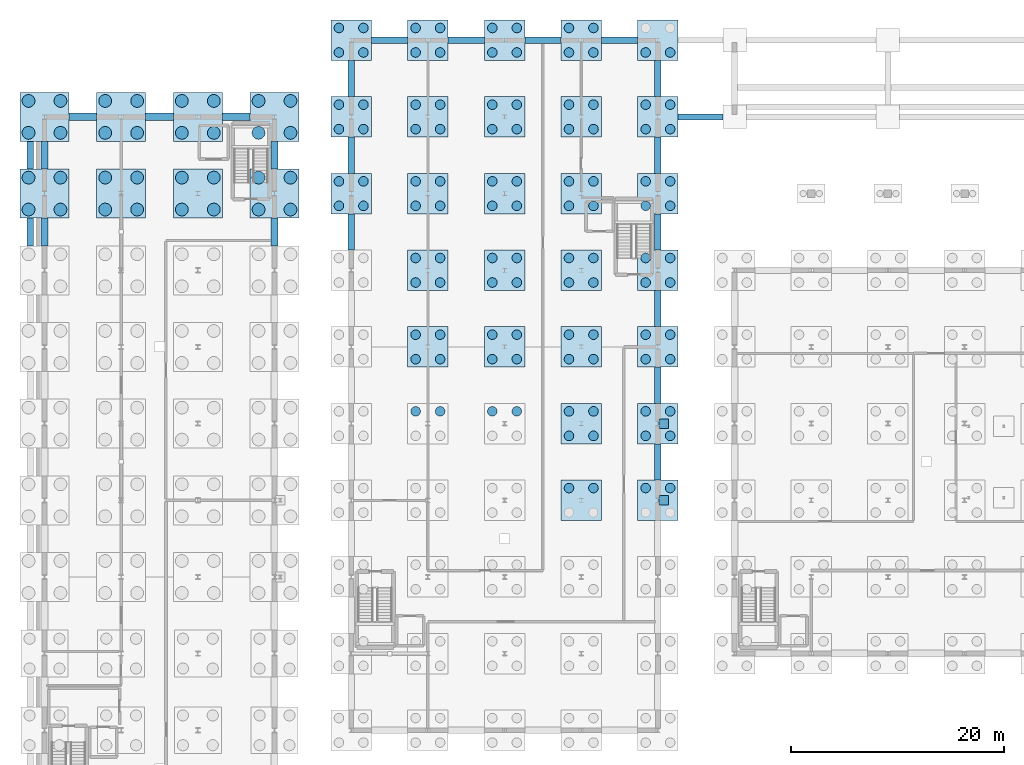
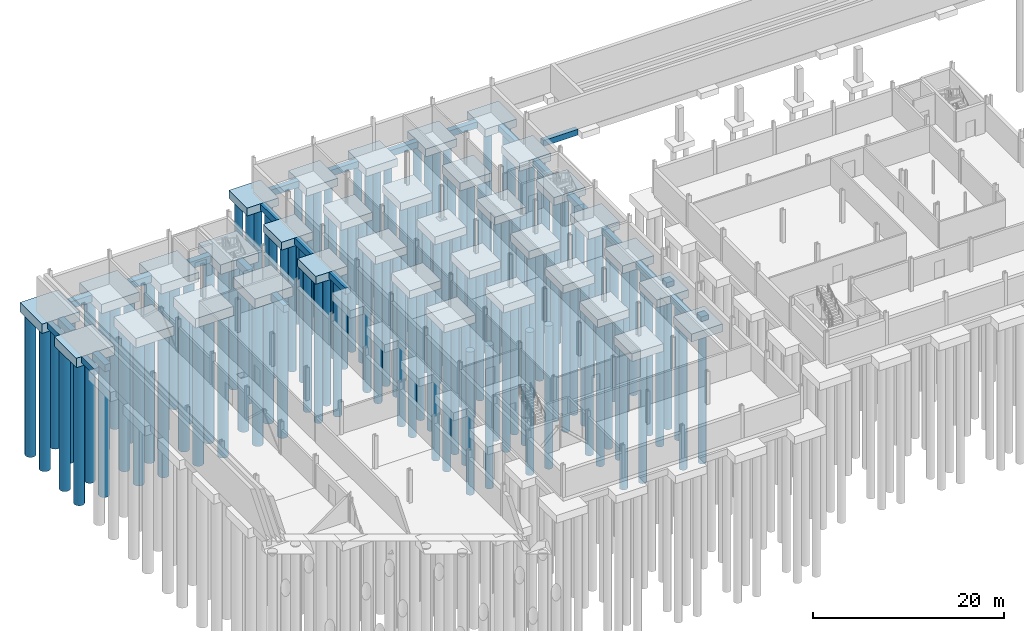
# One storey, part 4 of 50: 138 piles, 60 footings.
"""IFC4 building model written with IfcOpenShell, lengths in metres."""

from ifc_helpers import new_model, si_unit, direction, frame, origin, origin_2d, place, context, subcontext, project, spatial, rectangle, circle, extrude, material, layer, layer_set, material_profile, profile_set, type_object, element, save


model = new_model("IFC4")

# Units and contexts
model_context = context("Model", 3, precision=1e-05, world=origin(), true_north=direction((0.0, 1.0)))
body_context = subcontext(model_context, "Body", "Model", "MODEL_VIEW")
ifc_project = project(units=[si_unit("LENGTHUNIT", "METRE"), si_unit("AREAUNIT", "SQUARE_METRE"), si_unit("VOLUMEUNIT", "CUBIC_METRE"), si_unit("PLANEANGLEUNIT", "RADIAN"), si_unit("MASSUNIT", "GRAM", prefix="KILO")], contexts=[model_context])

# Site, building, storey
site_placement = place(None, origin())
site = spatial("IfcSite", under=ifc_project, at=site_placement, CompositionType="ELEMENT")
building_placement = place(site_placement, origin())
building = spatial("IfcBuilding", under=site, at=building_placement, Name="Narikvali Park Central Library", CompositionType="ELEMENT")
storey_placement = place(building_placement, frame((0.0, 0.0, -4.199951171875)))
storey = spatial("IfcBuildingStorey", under=building, at=storey_placement, Name="B1", CompositionType="ELEMENT", Elevation=-4.199951171875)

# Piles
ifc_material = material(Name="Concrete C35/45", Category="concrete")
ifc_material_profile_1 = material_profile(ifc_material, circle(Radius=0.60009765625, at=origin_2d()), Name="PILE D1200")
ifc_profile_set_1 = profile_set([ifc_material_profile_1], Name="Concrete C35/45")
pile_type_1 = type_object("IfcPileType", Name="Bored Pile D1200", PredefinedType="BORED", material=ifc_profile_set_1)
for number, where, z_axis, x_axis, name in (
    (1, (-1.5, 99.300048828125, -1.699951171875), (0.0, 0.0, -1.0), (1.0, 0.0, 0.0), "Bored Pile (-1.50,99.30)"),
    (2, (1.5, 99.300048828125, -1.699951171875), (0.0, 0.0, -1.0), (1.0, 0.0, 0.0), "Bored Pile (1.50,99.30)"),
    (3, (-1.5, 102.300048828125, -1.699951171875), (0.0, 0.0, -1.0), (1.0, 0.0, 0.0), "Bored Pile (-1.50,102.30)"),
    (4, (1.5, 102.300048828125, -1.699951171875), (0.0, 0.0, -1.0), (1.0, 0.0, 0.0), "Bored Pile (1.50,102.30)"),
    (5, (-1.5, 106.5, -1.699951171875), (0.0, 0.0, -1.0), (1.0, 0.0, 0.0), "Bored Pile (-1.50,106.50)"),
    (6, (1.5, 106.5, -1.699951171875), (0.0, 0.0, -1.0), (1.0, 0.0, 0.0), "Bored Pile (1.50,106.50)"),
    (7, (-1.5, 109.5, -1.699951171875), (0.0, 0.0, -1.0), (1.0, 0.0, 0.0), "Bored Pile (-1.50,109.50)"),
    (8, (1.5, 109.5, -1.699951171875), (0.0, 0.0, -1.0), (1.0, 0.0, 0.0), "Bored Pile (1.50,109.50)"),
    (9, (5.699951171875, 99.300048828125, -1.699951171875), (0.0, 0.0, -1.0), (1.0, 0.0, 0.0), "Bored Pile (5.70,99.30)"),
    (10, (8.699951171875, 99.300048828125, -1.699951171875), (0.0, 0.0, -1.0), (1.0, 0.0, 0.0), "Bored Pile (8.70,99.30)"),
    (11, (5.699951171875, 102.300048828125, -1.699951171875), (0.0, 0.0, -1.0), (1.0, 0.0, 0.0), "Bored Pile (5.70,102.30)"),
    (12, (8.699951171875, 102.300048828125, -1.699951171875), (0.0, 0.0, -1.0), (1.0, 0.0, 0.0), "Bored Pile (8.70,102.30)"),
    (13, (5.699951171875, 106.5, -1.699951171875), (0.0, 0.0, -1.0), (1.0, 0.0, 0.0), "Bored Pile (5.70,106.50)"),
    (14, (8.699951171875, 106.5, -1.699951171875), (0.0, 0.0, -1.0), (1.0, 0.0, 0.0), "Bored Pile (8.70,106.50)"),
    (15, (5.699951171875, 109.5, -1.699951171875), (0.0, 0.0, -1.0), (1.0, 0.0, 0.0), "Bored Pile (5.70,109.50)"),
    (16, (8.699951171875, 109.5, -1.699951171875), (0.0, 0.0, -1.0), (1.0, 0.0, 0.0), "Bored Pile (8.70,109.50)"),
    (17, (12.89990234375, 99.300048828125, -1.699951171875), (0.0, 0.0, -1.0), (1.0, 0.0, 0.0), "Bored Pile (12.90,99.30)"),
    (18, (15.89990234375, 99.300048828125, -1.699951171875), (0.0, 0.0, -1.0), (1.0, 0.0, 0.0), "Bored Pile (15.90,99.30)"),
    (19, (12.89990234375, 102.300048828125, -1.699951171875), (0.0, 0.0, -1.0), (1.0, 0.0, 0.0), "Bored Pile (12.90,102.30)"),
    (20, (15.89990234375, 102.300048828125, -1.699951171875), (0.0, 0.0, -1.0), (1.0, 0.0, 0.0), "Bored Pile (15.90,102.30)"),
    (21, (12.89990234375, 106.5, -1.699951171875), (0.0, 0.0, -1.0), (1.0, 0.0, 0.0), "Bored Pile (12.90,106.50)"),
    (22, (15.89990234375, 106.5, -1.699951171875), (0.0, 0.0, -1.0), (1.0, 0.0, 0.0), "Bored Pile (15.90,106.50)"),
    (23, (12.89990234375, 109.5, -1.699951171875), (0.0, 0.0, -1.0), (1.0, 0.0, 0.0), "Bored Pile (12.90,109.50)"),
    (24, (15.89990234375, 109.5, -1.699951171875), (0.0, 0.0, -1.0), (1.0, 0.0, 0.0), "Bored Pile (15.90,109.50)"),
    (25, (20.10009765625, 99.300048828125, -1.699951171875), (0.0, 0.0, -1.0), (1.0, 0.0, 0.0), "Bored Pile (20.10,99.30)"),
    (26, (23.10009765625, 99.300048828125, -1.699951171875), (0.0, 0.0, -1.0), (1.0, 0.0, 0.0), "Bored Pile (23.10,99.30)"),
    (27, (20.10009765625, 102.300048828125, -1.699951171875), (0.0, 0.0, -1.0), (1.0, 0.0, 0.0), "Bored Pile (20.10,102.30)"),
    (28, (23.10009765625, 102.300048828125, -1.699951171875), (0.0, 0.0, -1.0), (1.0, 0.0, 0.0), "Bored Pile (23.10,102.30)"),
    (29, (20.10009765625, 106.5, -1.699951171875), (0.0, 0.0, -1.0), (1.0, 0.0, 0.0), "Bored Pile (20.10,106.50)"),
    (30, (23.10009765625, 106.5, -1.699951171875), (0.0, 0.0, -1.0), (1.0, 0.0, 0.0), "Bored Pile (23.10,106.50)"),
    (31, (20.10009765625, 109.5, -1.699951171875), (0.0, 0.0, -1.0), (1.0, 0.0, 0.0), "Bored Pile (20.10,109.50)"),
    (32, (23.10009765625, 109.5, -1.699951171875), (0.0, 0.0, -1.0), (1.0, 0.0, 0.0), "Bored Pile (23.10,109.50)"),
):
    element("IfcPile", number, at=place(storey_placement, frame(where, z_axis=z_axis, x_axis=x_axis)), inside=storey, type_object=pile_type_1, Name=name, PredefinedType="BORED", context=body_context, shape_type="SweptSolid", body=[
        extrude(circle(Radius=0.60009765625, at=origin_2d()), origin(), (0.0, 0.0, 1.0), 18.10009765625),
    ])
ifc_material_profile_2 = material_profile(ifc_material, circle(Radius=0.449951171875, at=origin_2d()), Name="PILE D900")
ifc_profile_set_2 = profile_set([ifc_material_profile_2], Name="Concrete C35/45")
pile_type_2 = type_object("IfcPileType", Name="Bored Pile D900", PredefinedType="BORED", material=ifc_profile_set_2)
for number, where, z_axis, x_axis, name in (
    (33, (27.64990234375, 99.64990234375, -1.5), (0.0, 0.0, -1.0), (1.0, 0.0, 0.0), "Bored Pile (27.65,99.65)"),
    (34, (29.949951171875, 99.64990234375, -1.5), (0.0, 0.0, -1.0), (1.0, 0.0, 0.0), "Bored Pile (29.95,99.65)"),
    (35, (27.64990234375, 101.949951171875, -1.5), (0.0, 0.0, -1.0), (1.0, 0.0, 0.0), "Bored Pile (27.65,101.95)"),
    (36, (29.949951171875, 101.949951171875, -1.5), (0.0, 0.0, -1.0), (1.0, 0.0, 0.0), "Bored Pile (29.95,101.95)"),
    (37, (27.64990234375, 106.85009765625, -1.5), (0.0, 0.0, -1.0), (1.0, 0.0, 0.0), "Bored Pile (27.65,106.85)"),
    (38, (29.949951171875, 106.85009765625, -1.5), (0.0, 0.0, -1.0), (1.0, 0.0, 0.0), "Bored Pile (29.95,106.85)"),
    (39, (27.64990234375, 109.14990234375, -1.5), (0.0, 0.0, -1.0), (1.0, 0.0, 0.0), "Bored Pile (27.65,109.15)"),
    (40, (29.949951171875, 109.14990234375, -1.5), (0.0, 0.0, -1.0), (1.0, 0.0, 0.0), "Bored Pile (29.95,109.15)"),
    (41, (27.64990234375, 114.050048828125, -1.5), (0.0, 0.0, -1.0), (1.0, 0.0, 0.0), "Bored Pile (27.65,114.05)"),
    (42, (29.949951171875, 114.050048828125, -1.5), (0.0, 0.0, -1.0), (1.0, 0.0, 0.0), "Bored Pile (29.95,114.05)"),
    (43, (27.64990234375, 116.35009765625, -1.5), (0.0, 0.0, -1.0), (1.0, 0.0, 0.0), "Bored Pile (27.65,116.35)"),
    (44, (29.949951171875, 116.35009765625, -1.5), (0.0, 0.0, -1.0), (1.0, 0.0, 0.0), "Bored Pile (29.95,116.35)"),
    (45, (34.85009765625, 80.35009765625, -1.5), (0.0, 0.0, -1.0), (1.0, 0.0, 0.0), "Bored Pile (34.85,80.35)"),
    (46, (37.14990234375, 80.35009765625, -1.5), (0.0, 0.0, -1.0), (1.0, 0.0, 0.0), "Bored Pile (37.15,80.35)"),
    (47, (34.85009765625, 85.25, -1.5), (0.0, 0.0, -1.0), (1.0, 0.0, 0.0), "Bored Pile (34.85,85.25)"),
    (48, (37.14990234375, 85.25, -1.5), (0.0, 0.0, -1.0), (1.0, 0.0, 0.0), "Bored Pile (37.15,85.25)"),
    (49, (34.85009765625, 87.550048828125, -1.5), (0.0, 0.0, -1.0), (1.0, 0.0, 0.0), "Bored Pile (34.85,87.55)"),
    (50, (37.14990234375, 87.550048828125, -1.5), (0.0, 0.0, -1.0), (1.0, 0.0, 0.0), "Bored Pile (37.15,87.55)"),
    (51, (34.85009765625, 92.449951171875, -1.5), (0.0, 0.0, -1.0), (1.0, 0.0, 0.0), "Bored Pile (34.85,92.45)"),
    (52, (37.14990234375, 92.449951171875, -1.5), (0.0, 0.0, -1.0), (1.0, 0.0, 0.0), "Bored Pile (37.15,92.45)"),
    (53, (34.85009765625, 94.75, -1.5), (0.0, 0.0, -1.0), (1.0, 0.0, 0.0), "Bored Pile (34.85,94.75)"),
    (54, (37.14990234375, 94.75, -1.5), (0.0, 0.0, -1.0), (1.0, 0.0, 0.0), "Bored Pile (37.15,94.75)"),
    (55, (34.85009765625, 99.64990234375, -1.5), (0.0, 0.0, -1.0), (1.0, 0.0, 0.0), "Bored Pile (34.85,99.65)"),
    (56, (37.14990234375, 99.64990234375, -1.5), (0.0, 0.0, -1.0), (1.0, 0.0, 0.0), "Bored Pile (37.15,99.65)"),
    (57, (34.85009765625, 101.949951171875, -1.5), (0.0, 0.0, -1.0), (1.0, 0.0, 0.0), "Bored Pile (34.85,101.95)"),
    (58, (37.14990234375, 101.949951171875, -1.5), (0.0, 0.0, -1.0), (1.0, 0.0, 0.0), "Bored Pile (37.15,101.95)"),
    (59, (34.85009765625, 106.85009765625, -1.5), (0.0, 0.0, -1.0), (1.0, 0.0, 0.0), "Bored Pile (34.85,106.85)"),
    (60, (37.14990234375, 106.85009765625, -1.5), (0.0, 0.0, -1.0), (1.0, 0.0, 0.0), "Bored Pile (37.15,106.85)"),
    (61, (34.85009765625, 109.14990234375, -1.5), (0.0, 0.0, -1.0), (1.0, 0.0, 0.0), "Bored Pile (34.85,109.15)"),
    (62, (37.14990234375, 109.14990234375, -1.5), (0.0, 0.0, -1.0), (1.0, 0.0, 0.0), "Bored Pile (37.15,109.15)"),
    (63, (34.85009765625, 114.050048828125, -1.5), (0.0, 0.0, -1.0), (1.0, 0.0, 0.0), "Bored Pile (34.85,114.05)"),
    (64, (37.14990234375, 114.050048828125, -1.5), (0.0, 0.0, -1.0), (1.0, 0.0, 0.0), "Bored Pile (37.15,114.05)"),
    (65, (34.85009765625, 116.35009765625, -1.5), (0.0, 0.0, -1.0), (1.0, 0.0, 0.0), "Bored Pile (34.85,116.35)"),
    (66, (37.14990234375, 116.35009765625, -1.5), (0.0, 0.0, -1.0), (1.0, 0.0, 0.0), "Bored Pile (37.15,116.35)"),
    (67, (42.050048828125, 80.35009765625, -1.5), (0.0, 0.0, -1.0), (1.0, 0.0, 0.0), "Bored Pile (42.05,80.35)"),
    (68, (44.35009765625, 80.35009765625, -1.5), (0.0, 0.0, -1.0), (1.0, 0.0, 0.0), "Bored Pile (44.35,80.35)"),
    (69, (42.050048828125, 85.25, -1.5), (0.0, 0.0, -1.0), (1.0, 0.0, 0.0), "Bored Pile (42.05,85.25)"),
    (70, (44.35009765625, 85.25, -1.5), (0.0, 0.0, -1.0), (1.0, 0.0, 0.0), "Bored Pile (44.35,85.25)"),
    (71, (42.050048828125, 87.550048828125, -1.5), (0.0, 0.0, -1.0), (1.0, 0.0, 0.0), "Bored Pile (42.05,87.55)"),
    (72, (44.35009765625, 87.550048828125, -1.5), (0.0, 0.0, -1.0), (1.0, 0.0, 0.0), "Bored Pile (44.35,87.55)"),
    (73, (42.050048828125, 92.449951171875, -1.5), (0.0, 0.0, -1.0), (1.0, 0.0, 0.0), "Bored Pile (42.05,92.45)"),
    (74, (44.35009765625, 92.449951171875, -1.5), (0.0, 0.0, -1.0), (1.0, 0.0, 0.0), "Bored Pile (44.35,92.45)"),
    (75, (42.050048828125, 94.75, -1.5), (0.0, 0.0, -1.0), (1.0, 0.0, 0.0), "Bored Pile (42.05,94.75)"),
    (76, (44.35009765625, 94.75, -1.5), (0.0, 0.0, -1.0), (1.0, 0.0, 0.0), "Bored Pile (44.35,94.75)"),
    (77, (42.050048828125, 99.64990234375, -1.5), (0.0, 0.0, -1.0), (1.0, 0.0, 0.0), "Bored Pile (42.05,99.65)"),
    (78, (44.35009765625, 99.64990234375, -1.5), (0.0, 0.0, -1.0), (1.0, 0.0, 0.0), "Bored Pile (44.35,99.65)"),
    (79, (42.050048828125, 101.949951171875, -1.5), (0.0, 0.0, -1.0), (1.0, 0.0, 0.0), "Bored Pile (42.05,101.95)"),
    (80, (44.35009765625, 101.949951171875, -1.5), (0.0, 0.0, -1.0), (1.0, 0.0, 0.0), "Bored Pile (44.35,101.95)"),
    (81, (42.050048828125, 106.85009765625, -1.5), (0.0, 0.0, -1.0), (1.0, 0.0, 0.0), "Bored Pile (42.05,106.85)"),
    (82, (44.35009765625, 106.85009765625, -1.5), (0.0, 0.0, -1.0), (1.0, 0.0, 0.0), "Bored Pile (44.35,106.85)"),
    (83, (42.050048828125, 109.14990234375, -1.5), (0.0, 0.0, -1.0), (1.0, 0.0, 0.0), "Bored Pile (42.05,109.15)"),
    (84, (44.35009765625, 109.14990234375, -1.5), (0.0, 0.0, -1.0), (1.0, 0.0, 0.0), "Bored Pile (44.35,109.15)"),
    (85, (42.050048828125, 114.050048828125, -1.5), (0.0, 0.0, -1.0), (1.0, 0.0, 0.0), "Bored Pile (42.05,114.05)"),
    (86, (44.35009765625, 114.050048828125, -1.5), (0.0, 0.0, -1.0), (1.0, 0.0, 0.0), "Bored Pile (44.35,114.05)"),
    (87, (42.050048828125, 116.35009765625, -1.5), (0.0, 0.0, -1.0), (1.0, 0.0, 0.0), "Bored Pile (42.05,116.35)"),
    (88, (44.35009765625, 116.35009765625, -1.5), (0.0, 0.0, -1.0), (1.0, 0.0, 0.0), "Bored Pile (44.35,116.35)"),
    (89, (49.25, 73.14990234375, -1.5), (0.0, 0.0, -1.0), (1.0, 0.0, 0.0), "Bored Pile (49.25,73.15)"),
    (90, (51.550048828125, 73.14990234375, -1.5), (0.0, 0.0, -1.0), (1.0, 0.0, 0.0), "Bored Pile (51.55,73.15)"),
    (91, (49.25, 78.050048828125, -1.5), (0.0, 0.0, -1.0), (1.0, 0.0, 0.0), "Bored Pile (49.25,78.05)"),
    (92, (51.550048828125, 78.050048828125, -1.5), (0.0, 0.0, -1.0), (1.0, 0.0, 0.0), "Bored Pile (51.55,78.05)"),
    (93, (49.25, 80.35009765625, -1.5), (0.0, 0.0, -1.0), (1.0, 0.0, 0.0), "Bored Pile (49.25,80.35)"),
    (94, (51.550048828125, 80.35009765625, -1.5), (0.0, 0.0, -1.0), (1.0, 0.0, 0.0), "Bored Pile (51.55,80.35)"),
    (95, (49.25, 85.25, -1.5), (0.0, 0.0, -1.0), (1.0, 0.0, 0.0), "Bored Pile (49.25,85.25)"),
    (96, (51.550048828125, 85.25, -1.5), (0.0, 0.0, -1.0), (1.0, 0.0, 0.0), "Bored Pile (51.55,85.25)"),
    (97, (49.25, 87.550048828125, -1.5), (0.0, 0.0, -1.0), (1.0, 0.0, 0.0), "Bored Pile (49.25,87.55)"),
    (98, (51.550048828125, 87.550048828125, -1.5), (0.0, 0.0, -1.0), (1.0, 0.0, 0.0), "Bored Pile (51.55,87.55)"),
    (99, (49.25, 92.449951171875, -1.5), (0.0, 0.0, -1.0), (1.0, 0.0, 0.0), "Bored Pile (49.25,92.45)"),
    (100, (51.550048828125, 92.449951171875, -1.5), (0.0, 0.0, -1.0), (1.0, 0.0, 0.0), "Bored Pile (51.55,92.45)"),
    (101, (49.25, 94.75, -1.5), (0.0, 0.0, -1.0), (1.0, 0.0, 0.0), "Bored Pile (49.25,94.75)"),
    (102, (51.550048828125, 94.75, -1.5), (0.0, 0.0, -1.0), (1.0, 0.0, 0.0), "Bored Pile (51.55,94.75)"),
    (103, (49.25, 99.64990234375, -1.5), (0.0, 0.0, -1.0), (1.0, 0.0, 0.0), "Bored Pile (49.25,99.65)"),
    (104, (51.550048828125, 99.64990234375, -1.5), (0.0, 0.0, -1.0), (1.0, 0.0, 0.0), "Bored Pile (51.55,99.65)"),
    (105, (49.25, 101.949951171875, -1.5), (0.0, 0.0, -1.0), (1.0, 0.0, 0.0), "Bored Pile (49.25,101.95)"),
    (106, (51.550048828125, 101.949951171875, -1.5), (0.0, 0.0, -1.0), (1.0, 0.0, 0.0), "Bored Pile (51.55,101.95)"),
    (107, (49.25, 106.85009765625, -1.5), (0.0, 0.0, -1.0), (1.0, 0.0, 0.0), "Bored Pile (49.25,106.85)"),
    (108, (51.550048828125, 106.85009765625, -1.5), (0.0, 0.0, -1.0), (1.0, 0.0, 0.0), "Bored Pile (51.55,106.85)"),
    (109, (49.25, 109.14990234375, -1.5), (0.0, 0.0, -1.0), (1.0, 0.0, 0.0), "Bored Pile (49.25,109.15)"),
    (110, (51.550048828125, 109.14990234375, -1.5), (0.0, 0.0, -1.0), (1.0, 0.0, 0.0), "Bored Pile (51.55,109.15)"),
    (111, (49.25, 114.050048828125, -1.5), (0.0, 0.0, -1.0), (1.0, 0.0, 0.0), "Bored Pile (49.25,114.05)"),
    (112, (51.550048828125, 114.050048828125, -1.5), (0.0, 0.0, -1.0), (1.0, 0.0, 0.0), "Bored Pile (51.55,114.05)"),
    (113, (49.25, 116.35009765625, -1.5), (0.0, 0.0, -1.0), (1.0, 0.0, 0.0), "Bored Pile (49.25,116.35)"),
    (114, (51.550048828125, 116.35009765625, -1.5), (0.0, 0.0, -1.0), (1.0, 0.0, 0.0), "Bored Pile (51.55,116.35)"),
    (115, (56.449951171875, 73.14990234375, -1.5), (0.0, 0.0, -1.0), (1.0, 0.0, 0.0), "Bored Pile (56.45,73.15)"),
    (116, (58.75, 73.14990234375, -1.5), (0.0, 0.0, -1.0), (1.0, 0.0, 0.0), "Bored Pile (58.75,73.15)"),
    (117, (56.449951171875, 78.050048828125, -1.5), (0.0, 0.0, -1.0), (1.0, 0.0, 0.0), "Bored Pile (56.45,78.05)"),
    (118, (58.75, 78.050048828125, -1.5), (0.0, 0.0, -1.0), (1.0, 0.0, 0.0), "Bored Pile (58.75,78.05)"),
    (119, (56.449951171875, 80.35009765625, -1.5), (0.0, 0.0, -1.0), (1.0, 0.0, 0.0), "Bored Pile (56.45,80.35)"),
    (120, (58.75, 80.35009765625, -1.5), (0.0, 0.0, -1.0), (1.0, 0.0, 0.0), "Bored Pile (58.75,80.35)"),
    (121, (56.449951171875, 85.25, -1.5), (0.0, 0.0, -1.0), (1.0, 0.0, 0.0), "Bored Pile (56.45,85.25)"),
    (122, (58.75, 85.25, -1.5), (0.0, 0.0, -1.0), (1.0, 0.0, 0.0), "Bored Pile (58.75,85.25)"),
    (123, (56.449951171875, 87.550048828125, -1.5), (0.0, 0.0, -1.0), (1.0, 0.0, 0.0), "Bored Pile (56.45,87.55)"),
    (124, (58.75, 87.550048828125, -1.5), (0.0, 0.0, -1.0), (1.0, 0.0, 0.0), "Bored Pile (58.75,87.55)"),
    (125, (56.449951171875, 92.449951171875, -1.5), (0.0, 0.0, -1.0), (1.0, 0.0, 0.0), "Bored Pile (56.45,92.45)"),
    (126, (58.75, 92.449951171875, -1.5), (0.0, 0.0, -1.0), (1.0, 0.0, 0.0), "Bored Pile (58.75,92.45)"),
    (127, (56.449951171875, 94.75, -1.5), (0.0, 0.0, -1.0), (1.0, 0.0, 0.0), "Bored Pile (56.45,94.75)"),
    (128, (58.75, 94.75, -1.5), (0.0, 0.0, -1.0), (1.0, 0.0, 0.0), "Bored Pile (58.75,94.75)"),
    (129, (56.449951171875, 99.64990234375, -1.5), (0.0, 0.0, -1.0), (1.0, 0.0, 0.0), "Bored Pile (56.45,99.65)"),
    (130, (58.75, 99.64990234375, -1.5), (0.0, 0.0, -1.0), (1.0, 0.0, 0.0), "Bored Pile (58.75,99.65)"),
    (131, (56.449951171875, 101.949951171875, -1.5), (0.0, 0.0, -1.0), (1.0, 0.0, 0.0), "Bored Pile (56.45,101.95)"),
    (132, (58.75, 101.949951171875, -1.5), (0.0, 0.0, -1.0), (1.0, 0.0, 0.0), "Bored Pile (58.75,101.95)"),
    (133, (56.449951171875, 106.85009765625, -1.5), (0.0, 0.0, -1.0), (1.0, 0.0, 0.0), "Bored Pile (56.45,106.85)"),
    (134, (58.75, 106.85009765625, -1.5), (0.0, 0.0, -1.0), (1.0, 0.0, 0.0), "Bored Pile (58.75,106.85)"),
    (135, (56.449951171875, 109.14990234375, -1.5), (0.0, 0.0, -1.0), (1.0, 0.0, 0.0), "Bored Pile (56.45,109.15)"),
    (136, (58.75, 109.14990234375, -1.5), (0.0, 0.0, -1.0), (1.0, 0.0, 0.0), "Bored Pile (58.75,109.15)"),
    (137, (56.449951171875, 114.050048828125, -1.5), (0.0, 0.0, -1.0), (1.0, 0.0, 0.0), "Bored Pile (56.45,114.05)"),
    (138, (58.75, 114.050048828125, -1.5), (0.0, 0.0, -1.0), (1.0, 0.0, 0.0), "Bored Pile (58.75,114.05)"),
):
    element("IfcPile", number, at=place(storey_placement, frame(where, z_axis=z_axis, x_axis=x_axis)), inside=storey, type_object=pile_type_2, Name=name, PredefinedType="BORED", context=body_context, shape_type="SweptSolid", body=[
        extrude(circle(Radius=0.449951171875, at=origin_2d()), origin(), (0.0, 0.0, 1.0), 18.300048828125),
    ])

# Footings
ifc_layer_1 = layer(ifc_material, 0.60009765625, Name="Concrete C35/45")
ifc_layer_set_1 = layer_set([ifc_layer_1], Name="Concrete C35/45")
footing_type_1 = type_object("IfcFootingType", Name="Bridge Corbel Pedestal 900x900x600", PredefinedType="PAD_FOOTING", material=ifc_layer_set_1)
for number, where, z_axis, x_axis, name in (
    (139, (58.14990234375, 72.0, -0.60009765625), (0.0, 0.0, 1.0), (1.0, 0.0, 0.0), "BRG-2 Bridge Corbel Pedestal"),
    (140, (58.14990234375, 79.199951171875, -0.60009765625), (0.0, 0.0, 1.0), (1.0, 0.0, 0.0), "BRG-2 Bridge Corbel Pedestal"),
):
    element("IfcFooting", number, at=place(storey_placement, frame(where, z_axis=z_axis, x_axis=x_axis)), inside=storey, type_object=footing_type_1, Name=name, PredefinedType="PAD_FOOTING", context=body_context, shape_type="SweptSolid", body=[
        extrude(rectangle(XDim=0.89990234375, YDim=0.89990234375, at=origin_2d()), origin(), (0.0, 0.0, 1.0), 0.60009765625),
    ])
ifc_material_profile_3 = material_profile(ifc_material, rectangle(XDim=0.550048828125, YDim=0.75, at=origin_2d()), Name="RC GB 550x750")
ifc_profile_set_3 = profile_set([ifc_material_profile_3], Name="Concrete C35/45")
footing_type_2 = type_object("IfcFootingType", Name="Forecourt Strip Footing 550x750", PredefinedType="STRIP_FOOTING", material=ifc_profile_set_3)
footing_1_placement = place(storey_placement, frame((59.5, 108.0, -0.375), z_axis=(1.0, 0.0, 0.0), x_axis=(0.0, 1.0, 0.0)))
element("IfcFooting", 141, at=footing_1_placement, inside=storey, type_object=footing_type_2, Name="Forecourt Tie Footing Y=108.0 (57.6..64.8)", PredefinedType="STRIP_FOOTING", context=body_context, shape_type="SweptSolid", body=[
    extrude(rectangle(XDim=0.550048828125, YDim=0.75, at=origin_2d()), origin(), (0.0, 0.0, 1.0), 4.199951171875),
])
ifc_material_profile_4 = material_profile(ifc_material, rectangle(XDim=0.60009765625, YDim=0.800048828125, at=origin_2d()), Name="RC GB 600x800")
ifc_profile_set_4 = profile_set([ifc_material_profile_4], Name="Concrete C35/45")
footing_type_3 = type_object("IfcFootingType", Name="Foundation Strip Tie Footing 600x800", PredefinedType="STRIP_FOOTING", material=ifc_profile_set_4)
for number, where, z_axis, x_axis, name in (
    (142, (30.699951171875, 115.199951171875, -1.0), (1.0, 0.0, 0.0), (0.0, 1.0, 0.0), "V4 Foundation Tie Beam X"),
    (143, (37.89990234375, 115.199951171875, -1.0), (1.0, 0.0, 0.0), (0.0, 1.0, 0.0), "V4 Foundation Tie Beam X"),
):
    element("IfcFooting", number, at=place(storey_placement, frame(where, z_axis=z_axis, x_axis=x_axis)), inside=storey, type_object=footing_type_3, Name=name, PredefinedType="STRIP_FOOTING", context=body_context, shape_type="SweptSolid", body=[
        extrude(rectangle(XDim=0.60009765625, YDim=0.800048828125, at=origin_2d()), origin(), (0.0, 0.0, 1.0), 3.400146484375),
    ])
for number, where, z_axis, x_axis, name in (
    (144, (45.10009765625, 115.199951171875, -1.0), (1.0, 0.0, 0.0), (0.0, 1.0, 0.0), "V4 Foundation Tie Beam X"),
    (145, (52.300048828125, 115.199951171875, -1.0), (1.0, 0.0, 0.0), (0.0, 1.0, 0.0), "V4 Foundation Tie Beam X"),
    (146, (28.800048828125, 95.5, -1.0), (0.0, 1.0, 0.0), (-1.0, 0.0, 0.0), "V4 Foundation Tie Beam Y"),
):
    element("IfcFooting", number, at=place(storey_placement, frame(where, z_axis=z_axis, x_axis=x_axis)), inside=storey, type_object=footing_type_3, Name=name, PredefinedType="STRIP_FOOTING", context=body_context, shape_type="SweptSolid", body=[
        extrude(rectangle(XDim=0.60009765625, YDim=0.800048828125, at=origin_2d()), origin(), (0.0, 0.0, 1.0), 3.39990234375),
    ])
for number, where, z_axis, x_axis, name in (
    (147, (28.800048828125, 102.699951171875, -1.0), (0.0, 1.0, 0.0), (-1.0, 0.0, 0.0), "V4 Foundation Tie Beam Y"),
    (148, (28.800048828125, 109.89990234375, -1.0), (0.0, 1.0, 0.0), (-1.0, 0.0, 0.0), "V4 Foundation Tie Beam Y"),
    (149, (57.60009765625, 73.89990234375, -1.0), (0.0, 1.0, 0.0), (-1.0, 0.0, 0.0), "V4 Foundation Tie Beam Y"),
):
    element("IfcFooting", number, at=place(storey_placement, frame(where, z_axis=z_axis, x_axis=x_axis)), inside=storey, type_object=footing_type_3, Name=name, PredefinedType="STRIP_FOOTING", context=body_context, shape_type="SweptSolid", body=[
        extrude(rectangle(XDim=0.60009765625, YDim=0.800048828125, at=origin_2d()), origin(), (0.0, 0.0, 1.0), 3.400146484375),
    ])
for number, where, z_axis, x_axis, name in (
    (150, (57.60009765625, 81.10009765625, -1.0), (0.0, 1.0, 0.0), (-1.0, 0.0, 0.0), "V4 Foundation Tie Beam Y"),
    (151, (57.60009765625, 88.300048828125, -1.0), (0.0, 1.0, 0.0), (-1.0, 0.0, 0.0), "V4 Foundation Tie Beam Y"),
    (152, (57.60009765625, 95.5, -1.0), (0.0, 1.0, 0.0), (-1.0, 0.0, 0.0), "V4 Foundation Tie Beam Y"),
):
    element("IfcFooting", number, at=place(storey_placement, frame(where, z_axis=z_axis, x_axis=x_axis)), inside=storey, type_object=footing_type_3, Name=name, PredefinedType="STRIP_FOOTING", context=body_context, shape_type="SweptSolid", body=[
        extrude(rectangle(XDim=0.60009765625, YDim=0.800048828125, at=origin_2d()), origin(), (0.0, 0.0, 1.0), 3.39990234375),
    ])
for number, where, z_axis, x_axis, name in (
    (153, (57.60009765625, 102.699951171875, -1.0), (0.0, 1.0, 0.0), (-1.0, 0.0, 0.0), "V4 Foundation Tie Beam Y"),
    (154, (57.60009765625, 109.89990234375, -1.0), (0.0, 1.0, 0.0), (-1.0, 0.0, 0.0), "V4 Foundation Tie Beam Y"),
):
    element("IfcFooting", number, at=place(storey_placement, frame(where, z_axis=z_axis, x_axis=x_axis)), inside=storey, type_object=footing_type_3, Name=name, PredefinedType="STRIP_FOOTING", context=body_context, shape_type="SweptSolid", body=[
        extrude(rectangle(XDim=0.60009765625, YDim=0.800048828125, at=origin_2d()), origin(), (0.0, 0.0, 1.0), 3.400146484375),
    ])
footing_2_placement = place(storey_placement, frame((-1.35009765625, 95.89990234375, -1.0), z_axis=(0.0, 1.0, 0.0), x_axis=(-1.0, 0.0, 0.0)))
element("IfcFooting", 155, at=footing_2_placement, inside=storey, type_object=footing_type_3, Name="West Stacks Fin Tie Footing (93.6..100.8)", PredefinedType="STRIP_FOOTING", context=body_context, shape_type="SweptSolid", body=[
    extrude(rectangle(XDim=0.60009765625, YDim=0.800048828125, at=origin_2d()), origin(), (0.0, 0.0, 1.0), 2.60009765625),
])
footing_3_placement = place(storey_placement, frame((-1.35009765625, 103.10009765625, -1.0), z_axis=(0.0, 1.0, 0.0), x_axis=(-1.0, 0.0, 0.0)))
element("IfcFooting", 156, at=footing_3_placement, inside=storey, type_object=footing_type_3, Name="West Stacks Fin Tie Footing (100.8..108.0)", PredefinedType="STRIP_FOOTING", context=body_context, shape_type="SweptSolid", body=[
    extrude(rectangle(XDim=0.60009765625, YDim=0.800048828125, at=origin_2d()), origin(), (0.0, 0.0, 1.0), 2.599853515625),
])
ifc_layer_2 = layer(ifc_material, 1.0, Name="Concrete C35/45")
ifc_layer_set_2 = layer_set([ifc_layer_2], Name="Concrete C35/45")
footing_type_4 = type_object("IfcFootingType", Name="Four Pile Cap 3800x3800x1000", PredefinedType="PILE_CAP", material=ifc_layer_set_2)
for number, where, z_axis, x_axis, name in (
    (157, (28.800048828125, 100.800048828125, -1.60009765625), (0.0, 0.0, 1.0), (1.0, 0.0, 0.0), "Pile Cap (28.8,100.8)"),
    (158, (28.800048828125, 108.0, -1.60009765625), (0.0, 0.0, 1.0), (1.0, 0.0, 0.0), "Pile Cap (28.8,108.0)"),
    (159, (28.800048828125, 115.199951171875, -1.60009765625), (0.0, 0.0, 1.0), (1.0, 0.0, 0.0), "Pile Cap (28.8,115.2)"),
    (160, (36.0, 86.39990234375, -1.60009765625), (0.0, 0.0, 1.0), (1.0, 0.0, 0.0), "Pile Cap (36.0,86.4)"),
    (161, (36.0, 93.60009765625, -1.60009765625), (0.0, 0.0, 1.0), (1.0, 0.0, 0.0), "Pile Cap (36.0,93.6)"),
    (162, (36.0, 100.800048828125, -1.60009765625), (0.0, 0.0, 1.0), (1.0, 0.0, 0.0), "Pile Cap (36.0,100.8)"),
    (163, (36.0, 108.0, -1.60009765625), (0.0, 0.0, 1.0), (1.0, 0.0, 0.0), "Pile Cap (36.0,108.0)"),
    (164, (36.0, 115.199951171875, -1.60009765625), (0.0, 0.0, 1.0), (1.0, 0.0, 0.0), "Pile Cap (36.0,115.2)"),
    (165, (43.199951171875, 86.39990234375, -1.60009765625), (0.0, 0.0, 1.0), (1.0, 0.0, 0.0), "Pile Cap (43.2,86.4)"),
    (166, (43.199951171875, 93.60009765625, -1.60009765625), (0.0, 0.0, 1.0), (1.0, 0.0, 0.0), "Pile Cap (43.2,93.6)"),
    (167, (43.199951171875, 100.800048828125, -1.60009765625), (0.0, 0.0, 1.0), (1.0, 0.0, 0.0), "Pile Cap (43.2,100.8)"),
    (168, (43.199951171875, 108.0, -1.60009765625), (0.0, 0.0, 1.0), (1.0, 0.0, 0.0), "Pile Cap (43.2,108.0)"),
    (169, (43.199951171875, 115.199951171875, -1.60009765625), (0.0, 0.0, 1.0), (1.0, 0.0, 0.0), "Pile Cap (43.2,115.2)"),
    (170, (50.39990234375, 72.0, -1.60009765625), (0.0, 0.0, 1.0), (1.0, 0.0, 0.0), "Pile Cap (50.4,72.0)"),
    (171, (50.39990234375, 79.199951171875, -1.60009765625), (0.0, 0.0, 1.0), (1.0, 0.0, 0.0), "Pile Cap (50.4,79.2)"),
    (172, (50.39990234375, 86.39990234375, -1.60009765625), (0.0, 0.0, 1.0), (1.0, 0.0, 0.0), "Pile Cap (50.4,86.4)"),
    (173, (50.39990234375, 93.60009765625, -1.60009765625), (0.0, 0.0, 1.0), (1.0, 0.0, 0.0), "Pile Cap (50.4,93.6)"),
    (174, (50.39990234375, 100.800048828125, -1.60009765625), (0.0, 0.0, 1.0), (1.0, 0.0, 0.0), "Pile Cap (50.4,100.8)"),
    (175, (50.39990234375, 108.0, -1.60009765625), (0.0, 0.0, 1.0), (1.0, 0.0, 0.0), "Pile Cap (50.4,108.0)"),
    (176, (50.39990234375, 115.199951171875, -1.60009765625), (0.0, 0.0, 1.0), (1.0, 0.0, 0.0), "Pile Cap (50.4,115.2)"),
    (177, (57.60009765625, 72.0, -1.60009765625), (0.0, 0.0, 1.0), (1.0, 0.0, 0.0), "Pile Cap (57.6,72.0)"),
    (178, (57.60009765625, 79.199951171875, -1.60009765625), (0.0, 0.0, 1.0), (1.0, 0.0, 0.0), "Pile Cap (57.6,79.2)"),
    (179, (57.60009765625, 86.39990234375, -1.60009765625), (0.0, 0.0, 1.0), (1.0, 0.0, 0.0), "Pile Cap (57.6,86.4)"),
    (180, (57.60009765625, 93.60009765625, -1.60009765625), (0.0, 0.0, 1.0), (1.0, 0.0, 0.0), "Pile Cap (57.6,93.6)"),
    (181, (57.60009765625, 100.800048828125, -1.60009765625), (0.0, 0.0, 1.0), (1.0, 0.0, 0.0), "Pile Cap (57.6,100.8)"),
    (182, (57.60009765625, 108.0, -1.60009765625), (0.0, 0.0, 1.0), (1.0, 0.0, 0.0), "Pile Cap (57.6,108.0)"),
    (183, (57.60009765625, 115.199951171875, -1.60009765625), (0.0, 0.0, 1.0), (1.0, 0.0, 0.0), "Pile Cap (57.6,115.2)"),
):
    element("IfcFooting", number, at=place(storey_placement, frame(where, z_axis=z_axis, x_axis=x_axis)), inside=storey, type_object=footing_type_4, Name=name, PredefinedType="PILE_CAP", context=body_context, shape_type="SweptSolid", body=[
        extrude(rectangle(XDim=3.800048828125, YDim=3.800048828125, at=origin_2d()), origin(), (0.0, 0.0, 1.0), 1.0),
    ])
ifc_layer_3 = layer(ifc_material, 1.199951171875, Name="Concrete C35/45")
ifc_layer_set_3 = layer_set([ifc_layer_3], Name="Concrete C35/45")
footing_type_5 = type_object("IfcFootingType", Name="Four Pile Cap 4600x4600x1200", PredefinedType="PILE_CAP", material=ifc_layer_set_3)
for number, where, z_axis, x_axis, name in (
    (184, (0.0, 100.800048828125, -1.7998046875), (0.0, 0.0, 1.0), (1.0, 0.0, 0.0), "Pile Cap (0.0,100.8)"),
    (185, (0.0, 108.0, -1.7998046875), (0.0, 0.0, 1.0), (1.0, 0.0, 0.0), "Pile Cap (0.0,108.0)"),
    (186, (7.199951171875, 100.800048828125, -1.7998046875), (0.0, 0.0, 1.0), (1.0, 0.0, 0.0), "Pile Cap (7.2,100.8)"),
    (187, (7.199951171875, 108.0, -1.7998046875), (0.0, 0.0, 1.0), (1.0, 0.0, 0.0), "Pile Cap (7.2,108.0)"),
    (188, (14.39990234375, 100.800048828125, -1.7998046875), (0.0, 0.0, 1.0), (1.0, 0.0, 0.0), "Pile Cap (14.4,100.8)"),
    (189, (14.39990234375, 108.0, -1.7998046875), (0.0, 0.0, 1.0), (1.0, 0.0, 0.0), "Pile Cap (14.4,108.0)"),
    (190, (21.60009765625, 100.800048828125, -1.7998046875), (0.0, 0.0, 1.0), (1.0, 0.0, 0.0), "Pile Cap (21.6,100.8)"),
    (191, (21.60009765625, 108.0, -1.7998046875), (0.0, 0.0, 1.0), (1.0, 0.0, 0.0), "Pile Cap (21.6,108.0)"),
):
    element("IfcFooting", number, at=place(storey_placement, frame(where, z_axis=z_axis, x_axis=x_axis)), inside=storey, type_object=footing_type_5, Name=name, PredefinedType="PILE_CAP", context=body_context, shape_type="SweptSolid", body=[
        extrude(rectangle(XDim=4.60009765625, YDim=4.60009765625, at=origin_2d()), origin(), (0.0, 0.0, 1.0), 1.199951171875),
    ])
ifc_material_profile_5 = material_profile(ifc_material, rectangle(XDim=0.699951171875, YDim=0.89990234375, at=origin_2d()), Name="RC GB 700x900")
ifc_profile_set_5 = profile_set([ifc_material_profile_5], Name="Concrete C35/45")
footing_type_6 = type_object("IfcFootingType", Name="Heavy Archive Tie Footing 700x900", PredefinedType="STRIP_FOOTING", material=ifc_profile_set_5)
footing_4_placement = place(storey_placement, frame((2.300048828125, 108.0, -1.0), z_axis=(1.0, 0.0, 0.0), x_axis=(0.0, 1.0, 0.0)))
element("IfcFooting", 192, at=footing_4_placement, inside=storey, type_object=footing_type_6, Name="V5 Foundation Tie Beam X", PredefinedType="STRIP_FOOTING", context=body_context, shape_type="SweptSolid", body=[
    extrude(rectangle(XDim=0.699951171875, YDim=0.89990234375, at=origin_2d()), origin(), (0.0, 0.0, 1.0), 2.599853515625),
])
for number, where, z_axis, x_axis, name in (
    (193, (9.5, 108.0, -1.0), (1.0, 0.0, 0.0), (0.0, 1.0, 0.0), "V5 Foundation Tie Beam X"),
    (194, (16.699951171875, 108.0, -1.0), (1.0, 0.0, 0.0), (0.0, 1.0, 0.0), "V5 Foundation Tie Beam X"),
    (195, (0.0, 95.89990234375, -1.0), (0.0, 1.0, 0.0), (-1.0, 0.0, 0.0), "V5 Foundation Tie Beam Y"),
):
    element("IfcFooting", number, at=place(storey_placement, frame(where, z_axis=z_axis, x_axis=x_axis)), inside=storey, type_object=footing_type_6, Name=name, PredefinedType="STRIP_FOOTING", context=body_context, shape_type="SweptSolid", body=[
        extrude(rectangle(XDim=0.699951171875, YDim=0.89990234375, at=origin_2d()), origin(), (0.0, 0.0, 1.0), 2.60009765625),
    ])
footing_5_placement = place(storey_placement, frame((0.0, 103.10009765625, -1.0), z_axis=(0.0, 1.0, 0.0), x_axis=(-1.0, 0.0, 0.0)))
element("IfcFooting", 196, at=footing_5_placement, inside=storey, type_object=footing_type_6, Name="V5 Foundation Tie Beam Y", PredefinedType="STRIP_FOOTING", context=body_context, shape_type="SweptSolid", body=[
    extrude(rectangle(XDim=0.699951171875, YDim=0.89990234375, at=origin_2d()), origin(), (0.0, 0.0, 1.0), 2.599853515625),
])
footing_6_placement = place(storey_placement, frame((21.60009765625, 95.89990234375, -1.0), z_axis=(0.0, 1.0, 0.0), x_axis=(-1.0, 0.0, 0.0)))
element("IfcFooting", 197, at=footing_6_placement, inside=storey, type_object=footing_type_6, Name="V5 Foundation Tie Beam Y", PredefinedType="STRIP_FOOTING", context=body_context, shape_type="SweptSolid", body=[
    extrude(rectangle(XDim=0.699951171875, YDim=0.89990234375, at=origin_2d()), origin(), (0.0, 0.0, 1.0), 2.60009765625),
])
footing_7_placement = place(storey_placement, frame((21.60009765625, 103.10009765625, -1.0), z_axis=(0.0, 1.0, 0.0), x_axis=(-1.0, 0.0, 0.0)))
element("IfcFooting", 198, at=footing_7_placement, inside=storey, type_object=footing_type_6, Name="V5 Foundation Tie Beam Y", PredefinedType="STRIP_FOOTING", context=body_context, shape_type="SweptSolid", body=[
    extrude(rectangle(XDim=0.699951171875, YDim=0.89990234375, at=origin_2d()), origin(), (0.0, 0.0, 1.0), 2.599853515625),
])

save(model, "model.ifc")
